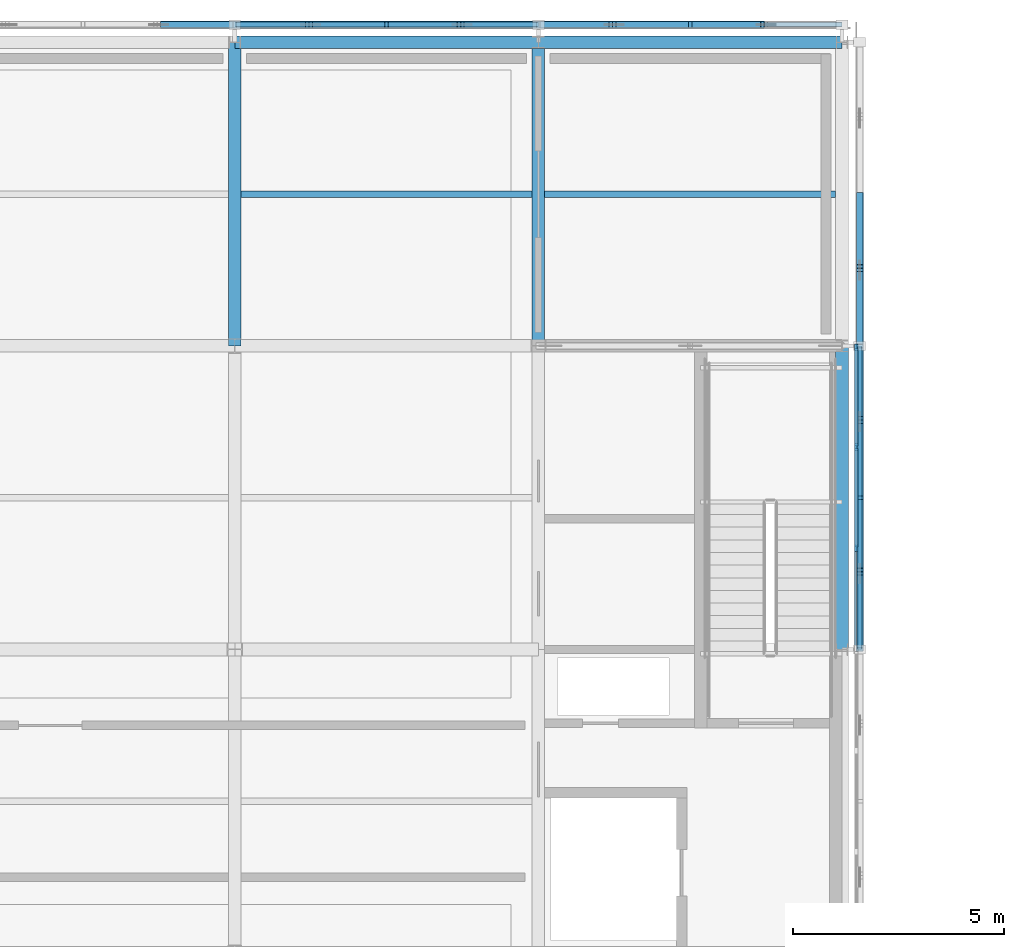
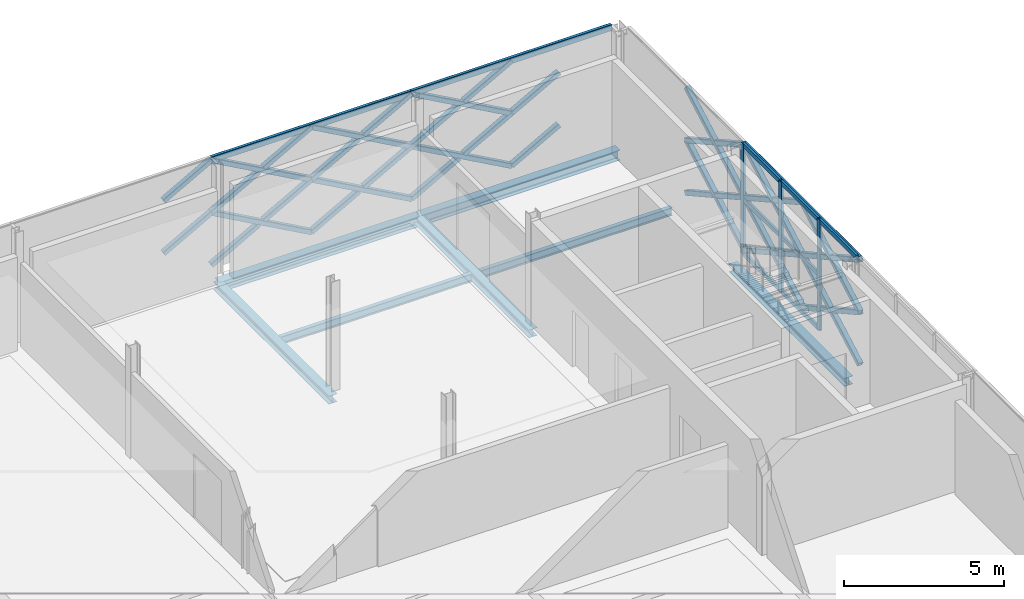
# One storey, part 57 of 103: 53 members, 7 beams, 1 element without a shape of its own.
"""IFC4 building model written with IfcOpenShell, lengths in metres."""

from ifc_helpers import new_model, si_unit, direction, frame, origin, origin_2d, place, context, subcontext, project, spatial, rectangle, hollow_rectangle, i_section, extrude, material, material_profile, profile_set, type_object, element, aggregate, save


model = new_model("IFC4")

# Units and contexts
model_context = context("Model", 3, precision=1e-05, world=origin(), true_north=direction((0.0, 1.0)))
body_context = subcontext(model_context, "Body", "Model", "MODEL_VIEW")
ifc_project = project(units=[si_unit("LENGTHUNIT", "METRE"), si_unit("AREAUNIT", "SQUARE_METRE"), si_unit("VOLUMEUNIT", "CUBIC_METRE"), si_unit("PLANEANGLEUNIT", "RADIAN"), si_unit("MASSUNIT", "GRAM", prefix="KILO")], contexts=[model_context])

# Site, building, storey
site_placement = place(None, origin())
site = spatial("IfcSite", under=ifc_project, at=site_placement, CompositionType="ELEMENT")
building_placement = place(site_placement, origin())
building = spatial("IfcBuilding", under=site, at=building_placement, Name="Zlatovets Crest Museum", CompositionType="ELEMENT")
storey_placement = place(building_placement, frame((0.0, 0.0, 12.89990234375)))
storey = spatial("IfcBuildingStorey", under=building, at=storey_placement, Name="L03", CompositionType="ELEMENT", Elevation=12.89990234375)

# Beams
ifc_material_1 = material(Name="Structural steel S355J2", Category="steel")
ifc_material_profile_1 = material_profile(ifc_material_1, i_section(OverallWidth=0.300048828125, OverallDepth=0.389892578125, WebThickness=0.010986328125, FlangeThickness=0.01904296875, FilletRadius=0.027099609375, at=origin_2d()), Name="HEA 400")
ifc_profile_set_1 = profile_set([ifc_material_profile_1], Name="Structural steel S355J2")
beam_type_1 = type_object("IfcBeamType", Name="Beam_B-02", PredefinedType="BEAM", material=ifc_profile_set_1)
for number, where, z_axis, x_axis, name in (
    (1, (93.60009765625, 115.199951171875, -0.434814453125), (1.0, 0.0, 0.0), (0.0, 1.0, 0.0), "V1 L03 Primary Girder B-02"),
    (2, (100.800048828125, 115.199951171875, -0.434814453125), (1.0, 0.0, 0.0), (0.0, 1.0, 0.0), "V1 L03 Primary Girder B-02"),
):
    element("IfcBeam", number, at=place(storey_placement, frame(where, z_axis=z_axis, x_axis=x_axis)), inside=storey, type_object=beam_type_1, Name=name, PredefinedType="BEAM", context=body_context, shape_type="SweptSolid", body=[
        extrude(i_section(OverallWidth=0.300048828125, OverallDepth=0.389892578125, WebThickness=0.010986328125, FlangeThickness=0.01904296875, FilletRadius=0.027099609375, at=origin_2d()), origin(), (0.0, 0.0, 1.0), 7.199951171875),
    ])
ifc_material_profile_2 = material_profile(ifc_material_1, i_section(OverallWidth=0.300048828125, OverallDepth=0.31005859375, WebThickness=0.009033203125, FlangeThickness=0.015380859375, FilletRadius=0.027099609375, at=origin_2d()), Name="HEA 320")
ifc_profile_set_2 = profile_set([ifc_material_profile_2], Name="Structural steel S355J2")
beam_type_2 = type_object("IfcBeamType", Name="Beam_B-04", PredefinedType="BEAM", material=ifc_profile_set_2)
for number, where, z_axis, x_axis, name in (
    (3, (93.60009765625, 108.0, -0.39501953125), (0.0, 1.0, 0.0), (-1.0, 0.0, 0.0), "V1 L03 Grid Beam B-04"),
    (4, (100.800048828125, 108.0, -0.39501953125), (0.0, 1.0, 0.0), (-1.0, 0.0, 0.0), "V1 L03 Grid Beam B-04"),
    (5, (108.0, 100.800048828125, -0.39501953125), (0.0, 1.0, 0.0), (-1.0, 0.0, 0.0), "V1 L03 Grid Beam B-04"),
):
    element("IfcBeam", number, at=place(storey_placement, frame(where, z_axis=z_axis, x_axis=x_axis)), inside=storey, type_object=beam_type_2, Name=name, PredefinedType="BEAM", context=body_context, shape_type="SweptSolid", body=[
        extrude(i_section(OverallWidth=0.300048828125, OverallDepth=0.31005859375, WebThickness=0.009033203125, FlangeThickness=0.015380859375, FilletRadius=0.027099609375, at=origin_2d()), origin(), (0.0, 0.0, 1.0), 7.199951171875),
    ])
ifc_material_profile_3 = material_profile(ifc_material_1, i_section(OverallWidth=0.14990234375, OverallDepth=0.300048828125, WebThickness=0.007080078125, FlangeThickness=0.0107421875, FilletRadius=0.014892578125, at=origin_2d()), Name="IPE 300")
ifc_profile_set_3 = profile_set([ifc_material_profile_3], Name="Structural steel S355J2")
beam_type_3 = type_object("IfcBeamType", Name="Beam_J-02", PredefinedType="JOIST", material=ifc_profile_set_3)
beam_1_placement = place(storey_placement, frame((93.75, 111.60009765625, -0.389892578125), z_axis=(1.0, 0.0, 0.0), x_axis=(0.0, 1.0, 0.0)))
element("IfcBeam", 6, at=beam_1_placement, inside=storey, type_object=beam_type_3, Name="V1 L03 Composite Joist J-02", PredefinedType="JOIST", context=body_context, shape_type="SweptSolid", body=[
    extrude(i_section(OverallWidth=0.14990234375, OverallDepth=0.300048828125, WebThickness=0.007080078125, FlangeThickness=0.0107421875, FilletRadius=0.014892578125, at=origin_2d()), origin(), (0.0, 0.0, 1.0), 6.89990234375),
])
beam_2_placement = place(storey_placement, frame((100.949951171875, 111.60009765625, -0.389892578125), z_axis=(1.0, 0.0, 0.0), x_axis=(0.0, 1.0, 0.0)))
element("IfcBeam", 7, at=beam_2_placement, inside=storey, type_object=beam_type_3, Name="V1 L03 Composite Joist J-02", PredefinedType="JOIST", context=body_context, shape_type="SweptSolid", body=[
    extrude(i_section(OverallWidth=0.14990234375, OverallDepth=0.300048828125, WebThickness=0.007080078125, FlangeThickness=0.0107421875, FilletRadius=0.014892578125, at=origin_2d()), origin(), (0.0, 0.0, 1.0), 6.900146484375),
])

# Curtain wall, members
ifc_material_2 = material(Name="Bronze-anodised aluminium and low-E triple glass", Category="aluminium")
curtain_wall_type = type_object("IfcCurtainWallType", Name="CW_CW-V1-L03-M1", PredefinedType="NOTDEFINED", material=ifc_material_2)
curtain_wall_placement = place(storey_placement, origin())
curtain_wall = element("IfcCurtainWall", 8, at=curtain_wall_placement, inside=storey, type_object=curtain_wall_type, Name="V1 L03 Expressed Core Glazed Facade", PredefinedType="NOTDEFINED")
ifc_material_3 = material(Name="Bronze-anodised aluminium EN AW-6060", Category="aluminium")
ifc_material_profile_4 = material_profile(ifc_material_3, rectangle(XDim=0.080078125, YDim=0.159912109375, at=origin_2d()), Name="ALU 80x160")
ifc_profile_set_4 = profile_set([ifc_material_profile_4], Name="Bronze-anodised aluminium EN AW-6060")
member_type_1 = type_object("IfcMemberType", Name="CWMull_M1", PredefinedType="MULLION", material=ifc_profile_set_4)
member_1_placement = place(storey_placement, frame((108.340087890625, 103.199951171875, 0.0), z_axis=(0.0, 0.0, 1.0), x_axis=(-1.0, 0.0, 0.0)))
member_1 = element("IfcMember", 9, at=member_1_placement, type_object=member_type_1, Name="CW-V1-L03-M1 mullion 2", PredefinedType="MULLION", context=body_context, shape_type="SweptSolid", body=[
    extrude(rectangle(XDim=0.080078125, YDim=0.159912109375, at=origin_2d()), origin(), (0.0, 0.0, 1.0), 4.2001953125),
])
member_2_placement = place(storey_placement, frame((108.340087890625, 105.60009765625, 0.0), z_axis=(0.0, 0.0, 1.0), x_axis=(-1.0, 0.0, 0.0)))
member_2 = element("IfcMember", 10, at=member_2_placement, type_object=member_type_1, Name="CW-V1-L03-M1 mullion 3", PredefinedType="MULLION", context=body_context, shape_type="SweptSolid", body=[
    extrude(rectangle(XDim=0.080078125, YDim=0.159912109375, at=origin_2d()), origin(), (0.0, 0.0, 1.0), 4.2001953125),
])
member_3_placement = place(storey_placement, frame((108.340087890625, 107.969970703125, 0.0), z_axis=(0.0, 0.0, 1.0), x_axis=(-1.0, 0.0, 0.0)))
member_3 = element("IfcMember", 11, at=member_3_placement, type_object=member_type_1, Name="CW-V1-L03-M1 mullion 4", PredefinedType="MULLION", context=body_context, shape_type="SweptSolid", body=[
    extrude(rectangle(XDim=0.080078125, YDim=0.159912109375, at=origin_2d()), origin(), (0.0, 0.0, 1.0), 4.2001953125),
])
ifc_material_profile_5 = material_profile(ifc_material_3, rectangle(XDim=0.080078125, YDim=0.159912109375, at=origin_2d()), Name="ALU 80x160")
ifc_profile_set_5 = profile_set([ifc_material_profile_5], Name="Bronze-anodised aluminium EN AW-6060")
member_type_2 = type_object("IfcMemberType", Name="CWTrans_T1", PredefinedType="USERDEFINED", material=ifc_profile_set_5)
member_4_placement = place(storey_placement, frame((108.340087890625, 100.860107421875, 4.170166015625), z_axis=(0.0, 1.0, 0.0), x_axis=(-1.0, 0.0, 0.0)))
member_4 = element("IfcMember", 12, at=member_4_placement, type_object=member_type_2, Name="CW-V1-L03-M1 transom 1.3", ObjectType="TRANSOM", PredefinedType="USERDEFINED", context=body_context, shape_type="SweptSolid", body=[
    extrude(rectangle(XDim=0.080078125, YDim=0.159912109375, at=origin_2d()), origin(), (0.0, 0.0, 1.0), 2.309814453125),
])
member_5_placement = place(storey_placement, frame((108.340087890625, 103.22998046875, 0.030029296875), z_axis=(0.0, 1.0, 0.0), x_axis=(-1.0, 0.0, 0.0)))
member_5 = element("IfcMember", 13, at=member_5_placement, type_object=member_type_2, Name="CW-V1-L03-M1 transom 2.1", ObjectType="TRANSOM", PredefinedType="USERDEFINED", context=body_context, shape_type="SweptSolid", body=[
    extrude(rectangle(XDim=0.080078125, YDim=0.159912109375, at=origin_2d()), origin(), (0.0, 0.0, 1.0), 2.340087890625),
])
member_6_placement = place(storey_placement, frame((108.340087890625, 103.22998046875, 2.10009765625), z_axis=(0.0, 1.0, 0.0), x_axis=(-1.0, 0.0, 0.0)))
member_6 = element("IfcMember", 14, at=member_6_placement, type_object=member_type_2, Name="CW-V1-L03-M1 transom 2.2", ObjectType="TRANSOM", PredefinedType="USERDEFINED", context=body_context, shape_type="SweptSolid", body=[
    extrude(rectangle(XDim=0.080078125, YDim=0.159912109375, at=origin_2d()), origin(), (0.0, 0.0, 1.0), 2.340087890625),
])
member_7_placement = place(storey_placement, frame((108.340087890625, 103.22998046875, 4.170166015625), z_axis=(0.0, 1.0, 0.0), x_axis=(-1.0, 0.0, 0.0)))
member_7 = element("IfcMember", 15, at=member_7_placement, type_object=member_type_2, Name="CW-V1-L03-M1 transom 2.3", ObjectType="TRANSOM", PredefinedType="USERDEFINED", context=body_context, shape_type="SweptSolid", body=[
    extrude(rectangle(XDim=0.080078125, YDim=0.159912109375, at=origin_2d()), origin(), (0.0, 0.0, 1.0), 2.340087890625),
])
member_8_placement = place(storey_placement, frame((108.340087890625, 105.6298828125, 0.030029296875), z_axis=(0.0, 1.0, 0.0), x_axis=(-1.0, 0.0, 0.0)))
member_8 = element("IfcMember", 16, at=member_8_placement, type_object=member_type_2, Name="CW-V1-L03-M1 transom 3.1", ObjectType="TRANSOM", PredefinedType="USERDEFINED", context=body_context, shape_type="SweptSolid", body=[
    extrude(rectangle(XDim=0.080078125, YDim=0.159912109375, at=origin_2d()), origin(), (0.0, 0.0, 1.0), 2.31005859375),
])
member_9_placement = place(storey_placement, frame((108.340087890625, 105.6298828125, 2.10009765625), z_axis=(0.0, 1.0, 0.0), x_axis=(-1.0, 0.0, 0.0)))
member_9 = element("IfcMember", 17, at=member_9_placement, type_object=member_type_2, Name="CW-V1-L03-M1 transom 3.2", ObjectType="TRANSOM", PredefinedType="USERDEFINED", context=body_context, shape_type="SweptSolid", body=[
    extrude(rectangle(XDim=0.080078125, YDim=0.159912109375, at=origin_2d()), origin(), (0.0, 0.0, 1.0), 2.31005859375),
])
member_10_placement = place(storey_placement, frame((108.340087890625, 105.6298828125, 4.170166015625), z_axis=(0.0, 1.0, 0.0), x_axis=(-1.0, 0.0, 0.0)))
member_10 = element("IfcMember", 18, at=member_10_placement, type_object=member_type_2, Name="CW-V1-L03-M1 transom 3.3", ObjectType="TRANSOM", PredefinedType="USERDEFINED", context=body_context, shape_type="SweptSolid", body=[
    extrude(rectangle(XDim=0.080078125, YDim=0.159912109375, at=origin_2d()), origin(), (0.0, 0.0, 1.0), 2.31005859375),
])
aggregate(curtain_wall, [member_1, member_2, member_3, member_4, member_5, member_6, member_7, member_8, member_9, member_10])

# Members
ifc_material_4 = material(Name="Weathering bronze-steel S355J2W", Category="steel")
ifc_material_profile_6 = material_profile(ifc_material_4, hollow_rectangle(XDim=0.179931640625, YDim=0.179931640625, WallThickness=0.010009765625, InnerFilletRadius=0.010009765625, OuterFilletRadius=0.02001953125, at=origin_2d()), Name="SHS 180x180x10.0")
ifc_profile_set_6 = profile_set([ifc_material_profile_6], Name="Weathering bronze-steel S355J2W")
member_type_3 = type_object("IfcMemberType", Name="Lattice_XL-01", PredefinedType="BRACE", material=ifc_profile_set_6)
member_11_placement = place(storey_placement, frame((108.419921875, 100.800048828125, 0.10009765625), z_axis=(0.0, 0.874148886685, 0.485658031857), x_axis=(-1.0, 0.0, 0.0)))
element("IfcMember", 19, at=member_11_placement, inside=storey, type_object=member_type_3, Name="Continuous Bronze Lattice Diagonal", PredefinedType="BRACE", context=body_context, shape_type="SweptSolid", body=[
    extrude(hollow_rectangle(XDim=0.179931640625, YDim=0.179931640625, WallThickness=0.010009765625, InnerFilletRadius=0.010009765625, OuterFilletRadius=0.02001953125, at=origin_2d()), origin(), (0.0, 0.0, 1.0), 4.1181640625),
])
member_12_placement = place(storey_placement, frame((108.419921875, 100.800048828125, 2.10009765625), z_axis=(0.0, 0.874169001841, -0.485621824284), x_axis=(-1.0, 0.0, 0.0)))
element("IfcMember", 20, at=member_12_placement, inside=storey, type_object=member_type_3, Name="Split Crossing Bronze Lattice Diagonal Upper", PredefinedType="BRACE", context=body_context, shape_type="SweptSolid", body=[
    extrude(hollow_rectangle(XDim=0.179931640625, YDim=0.179931640625, WallThickness=0.010009765625, InnerFilletRadius=0.010009765625, OuterFilletRadius=0.02001953125, at=origin_2d()), origin(), (0.0, 0.0, 1.0), 1.964111328125),
])
member_13_placement = place(storey_placement, frame((108.419921875, 102.68310546875, 1.053955078125), z_axis=(0.0, 0.874139684676, -0.48567459443), x_axis=(-1.0, 0.0, 0.0)))
element("IfcMember", 21, at=member_13_placement, inside=storey, type_object=member_type_3, Name="Split Crossing Bronze Lattice Diagonal Lower", PredefinedType="BRACE", context=body_context, shape_type="SweptSolid", body=[
    extrude(hollow_rectangle(XDim=0.179931640625, YDim=0.179931640625, WallThickness=0.010009765625, InnerFilletRadius=0.010009765625, OuterFilletRadius=0.02001953125, at=origin_2d()), origin(), (0.0, 0.0, 1.0), 1.9638671875),
])
member_14_placement = place(storey_placement, frame((108.419921875, 104.39990234375, 0.10009765625), z_axis=(0.0, 0.874162868644, 0.485632864501), x_axis=(-1.0, 0.0, 0.0)))
element("IfcMember", 22, at=member_14_placement, inside=storey, type_object=member_type_3, Name="Continuous Bronze Lattice Diagonal", PredefinedType="BRACE", context=body_context, shape_type="SweptSolid", body=[
    extrude(hollow_rectangle(XDim=0.179931640625, YDim=0.179931640625, WallThickness=0.010009765625, InnerFilletRadius=0.010009765625, OuterFilletRadius=0.02001953125, at=origin_2d()), origin(), (0.0, 0.0, 1.0), 4.118408203125),
])
for number, where, z_axis, x_axis, name in (
    (23, (108.419921875, 104.39990234375, 2.10009765625), (0.0, 0.874169001841, -0.485621824284), (-1.0, 0.0, 0.0), "Split Crossing Bronze Lattice Diagonal Upper"),
    (24, (108.419921875, 106.282958984375, 1.053955078125), (0.0, 0.874169001841, -0.485621824284), (-1.0, 0.0, 0.0), "Split Crossing Bronze Lattice Diagonal Lower"),
):
    element("IfcMember", number, at=place(storey_placement, frame(where, z_axis=z_axis, x_axis=x_axis)), inside=storey, type_object=member_type_3, Name=name, PredefinedType="BRACE", context=body_context, shape_type="SweptSolid", body=[
        extrude(hollow_rectangle(XDim=0.179931640625, YDim=0.179931640625, WallThickness=0.010009765625, InnerFilletRadius=0.010009765625, OuterFilletRadius=0.02001953125, at=origin_2d()), origin(), (0.0, 0.0, 1.0), 1.964111328125),
    ])
member_15_placement = place(storey_placement, frame((108.419921875, 100.800048828125, 2.10009765625), z_axis=(0.0, 0.874148886685, 0.485658031857), x_axis=(-1.0, 0.0, 0.0)))
element("IfcMember", 25, at=member_15_placement, inside=storey, type_object=member_type_3, Name="Continuous Bronze Lattice Diagonal", PredefinedType="BRACE", context=body_context, shape_type="SweptSolid", body=[
    extrude(hollow_rectangle(XDim=0.179931640625, YDim=0.179931640625, WallThickness=0.010009765625, InnerFilletRadius=0.010009765625, OuterFilletRadius=0.02001953125, at=origin_2d()), origin(), (0.0, 0.0, 1.0), 4.1181640625),
])
member_16_placement = place(storey_placement, frame((108.419921875, 100.800048828125, 4.10009765625), z_axis=(0.0, 0.874169001841, -0.485621824284), x_axis=(-1.0, 0.0, 0.0)))
element("IfcMember", 26, at=member_16_placement, inside=storey, type_object=member_type_3, Name="Split Crossing Bronze Lattice Diagonal Upper", PredefinedType="BRACE", context=body_context, shape_type="SweptSolid", body=[
    extrude(hollow_rectangle(XDim=0.179931640625, YDim=0.179931640625, WallThickness=0.010009765625, InnerFilletRadius=0.010009765625, OuterFilletRadius=0.02001953125, at=origin_2d()), origin(), (0.0, 0.0, 1.0), 1.964111328125),
])
member_17_placement = place(storey_placement, frame((108.419921875, 102.68310546875, 3.053955078125), z_axis=(0.0, 0.874139684676, -0.48567459443), x_axis=(-1.0, 0.0, 0.0)))
element("IfcMember", 27, at=member_17_placement, inside=storey, type_object=member_type_3, Name="Split Crossing Bronze Lattice Diagonal Lower", PredefinedType="BRACE", context=body_context, shape_type="SweptSolid", body=[
    extrude(hollow_rectangle(XDim=0.179931640625, YDim=0.179931640625, WallThickness=0.010009765625, InnerFilletRadius=0.010009765625, OuterFilletRadius=0.02001953125, at=origin_2d()), origin(), (0.0, 0.0, 1.0), 1.9638671875),
])
member_18_placement = place(storey_placement, frame((108.419921875, 104.39990234375, 2.10009765625), z_axis=(0.0, 0.874162868644, 0.485632864501), x_axis=(-1.0, 0.0, 0.0)))
element("IfcMember", 28, at=member_18_placement, inside=storey, type_object=member_type_3, Name="Continuous Bronze Lattice Diagonal", PredefinedType="BRACE", context=body_context, shape_type="SweptSolid", body=[
    extrude(hollow_rectangle(XDim=0.179931640625, YDim=0.179931640625, WallThickness=0.010009765625, InnerFilletRadius=0.010009765625, OuterFilletRadius=0.02001953125, at=origin_2d()), origin(), (0.0, 0.0, 1.0), 4.118408203125),
])
for number, where, z_axis, x_axis, name in (
    (29, (108.419921875, 104.39990234375, 4.10009765625), (0.0, 0.874169001841, -0.485621824284), (-1.0, 0.0, 0.0), "Split Crossing Bronze Lattice Diagonal Upper"),
    (30, (108.419921875, 106.282958984375, 3.053955078125), (0.0, 0.874169001841, -0.485621824284), (-1.0, 0.0, 0.0), "Split Crossing Bronze Lattice Diagonal Lower"),
):
    element("IfcMember", number, at=place(storey_placement, frame(where, z_axis=z_axis, x_axis=x_axis)), inside=storey, type_object=member_type_3, Name=name, PredefinedType="BRACE", context=body_context, shape_type="SweptSolid", body=[
        extrude(hollow_rectangle(XDim=0.179931640625, YDim=0.179931640625, WallThickness=0.010009765625, InnerFilletRadius=0.010009765625, OuterFilletRadius=0.02001953125, at=origin_2d()), origin(), (0.0, 0.0, 1.0), 1.964111328125),
    ])
member_19_placement = place(storey_placement, frame((108.419921875, 108.0, 0.10009765625), z_axis=(0.0, 0.874162868644, 0.485632864501), x_axis=(-1.0, 0.0, 0.0)))
element("IfcMember", 31, at=member_19_placement, inside=storey, type_object=member_type_3, Name="Continuous Bronze Lattice Diagonal", PredefinedType="BRACE", context=body_context, shape_type="SweptSolid", body=[
    extrude(hollow_rectangle(XDim=0.179931640625, YDim=0.179931640625, WallThickness=0.010009765625, InnerFilletRadius=0.010009765625, OuterFilletRadius=0.02001953125, at=origin_2d()), origin(), (0.0, 0.0, 1.0), 4.118408203125),
])
for number, where, z_axis, x_axis, name in (
    (32, (108.419921875, 108.0, 2.10009765625), (0.0, 0.874169001841, -0.485621824284), (-1.0, 0.0, 0.0), "Split Crossing Bronze Lattice Diagonal Upper"),
    (33, (108.419921875, 109.883056640625, 1.053955078125), (0.0, 0.874169001841, -0.485621824284), (-1.0, 0.0, 0.0), "Split Crossing Bronze Lattice Diagonal Lower"),
):
    element("IfcMember", number, at=place(storey_placement, frame(where, z_axis=z_axis, x_axis=x_axis)), inside=storey, type_object=member_type_3, Name=name, PredefinedType="BRACE", context=body_context, shape_type="SweptSolid", body=[
        extrude(hollow_rectangle(XDim=0.179931640625, YDim=0.179931640625, WallThickness=0.010009765625, InnerFilletRadius=0.010009765625, OuterFilletRadius=0.02001953125, at=origin_2d()), origin(), (0.0, 0.0, 1.0), 1.964111328125),
    ])
member_20_placement = place(storey_placement, frame((108.419921875, 108.0, 2.10009765625), z_axis=(0.0, 0.874162868644, 0.485632864501), x_axis=(-1.0, 0.0, 0.0)))
element("IfcMember", 34, at=member_20_placement, inside=storey, type_object=member_type_3, Name="Continuous Bronze Lattice Diagonal", PredefinedType="BRACE", context=body_context, shape_type="SweptSolid", body=[
    extrude(hollow_rectangle(XDim=0.179931640625, YDim=0.179931640625, WallThickness=0.010009765625, InnerFilletRadius=0.010009765625, OuterFilletRadius=0.02001953125, at=origin_2d()), origin(), (0.0, 0.0, 1.0), 4.118408203125),
])
for number, where, z_axis, x_axis, name in (
    (35, (108.419921875, 108.0, 4.10009765625), (0.0, 0.874169001841, -0.485621824284), (-1.0, 0.0, 0.0), "Split Crossing Bronze Lattice Diagonal Upper"),
    (36, (108.419921875, 109.883056640625, 3.053955078125), (0.0, 0.874169001841, -0.485621824284), (-1.0, 0.0, 0.0), "Split Crossing Bronze Lattice Diagonal Lower"),
    (37, (106.116943359375, 115.6201171875, 1.053955078125), (-0.874169001841, 0.0, -0.485621824284), (0.0, -1.0, 0.0), "Split Crossing Bronze Lattice Diagonal Lower"),
):
    element("IfcMember", number, at=place(storey_placement, frame(where, z_axis=z_axis, x_axis=x_axis)), inside=storey, type_object=member_type_3, Name=name, PredefinedType="BRACE", context=body_context, shape_type="SweptSolid", body=[
        extrude(hollow_rectangle(XDim=0.179931640625, YDim=0.179931640625, WallThickness=0.010009765625, InnerFilletRadius=0.010009765625, OuterFilletRadius=0.02001953125, at=origin_2d()), origin(), (0.0, 0.0, 1.0), 1.964111328125),
    ])
member_21_placement = place(storey_placement, frame((104.39990234375, 115.6201171875, 0.10009765625), z_axis=(-0.874148886685, 0.0, 0.485658031857), x_axis=(0.0, -1.0, 0.0)))
element("IfcMember", 38, at=member_21_placement, inside=storey, type_object=member_type_3, Name="Continuous Bronze Lattice Diagonal", PredefinedType="BRACE", context=body_context, shape_type="SweptSolid", body=[
    extrude(hollow_rectangle(XDim=0.179931640625, YDim=0.179931640625, WallThickness=0.010009765625, InnerFilletRadius=0.010009765625, OuterFilletRadius=0.02001953125, at=origin_2d()), origin(), (0.0, 0.0, 1.0), 4.1181640625),
])
member_22_placement = place(storey_placement, frame((104.39990234375, 115.6201171875, 2.10009765625), z_axis=(-0.874139684676, 0.0, -0.48567459443), x_axis=(0.0, -1.0, 0.0)))
element("IfcMember", 39, at=member_22_placement, inside=storey, type_object=member_type_3, Name="Split Crossing Bronze Lattice Diagonal Upper", PredefinedType="BRACE", context=body_context, shape_type="SweptSolid", body=[
    extrude(hollow_rectangle(XDim=0.179931640625, YDim=0.179931640625, WallThickness=0.010009765625, InnerFilletRadius=0.010009765625, OuterFilletRadius=0.02001953125, at=origin_2d()), origin(), (0.0, 0.0, 1.0), 1.9638671875),
])
for number, where, z_axis, x_axis, name in (
    (40, (102.51708984375, 115.6201171875, 1.053955078125), (-0.874169001841, 0.0, -0.485621824284), (0.0, -1.0, 0.0), "Split Crossing Bronze Lattice Diagonal Lower"),
    (41, (106.116943359375, 115.6201171875, 3.053955078125), (-0.874169001841, 0.0, -0.485621824284), (0.0, -1.0, 0.0), "Split Crossing Bronze Lattice Diagonal Lower"),
):
    element("IfcMember", number, at=place(storey_placement, frame(where, z_axis=z_axis, x_axis=x_axis)), inside=storey, type_object=member_type_3, Name=name, PredefinedType="BRACE", context=body_context, shape_type="SweptSolid", body=[
        extrude(hollow_rectangle(XDim=0.179931640625, YDim=0.179931640625, WallThickness=0.010009765625, InnerFilletRadius=0.010009765625, OuterFilletRadius=0.02001953125, at=origin_2d()), origin(), (0.0, 0.0, 1.0), 1.964111328125),
    ])
member_23_placement = place(storey_placement, frame((104.39990234375, 115.6201171875, 2.10009765625), z_axis=(-0.874148886685, 0.0, 0.485658031857), x_axis=(0.0, -1.0, 0.0)))
element("IfcMember", 42, at=member_23_placement, inside=storey, type_object=member_type_3, Name="Continuous Bronze Lattice Diagonal", PredefinedType="BRACE", context=body_context, shape_type="SweptSolid", body=[
    extrude(hollow_rectangle(XDim=0.179931640625, YDim=0.179931640625, WallThickness=0.010009765625, InnerFilletRadius=0.010009765625, OuterFilletRadius=0.02001953125, at=origin_2d()), origin(), (0.0, 0.0, 1.0), 4.1181640625),
])
member_24_placement = place(storey_placement, frame((104.39990234375, 115.6201171875, 4.10009765625), z_axis=(-0.874139684676, 0.0, -0.48567459443), x_axis=(0.0, -1.0, 0.0)))
element("IfcMember", 43, at=member_24_placement, inside=storey, type_object=member_type_3, Name="Split Crossing Bronze Lattice Diagonal Upper", PredefinedType="BRACE", context=body_context, shape_type="SweptSolid", body=[
    extrude(hollow_rectangle(XDim=0.179931640625, YDim=0.179931640625, WallThickness=0.010009765625, InnerFilletRadius=0.010009765625, OuterFilletRadius=0.02001953125, at=origin_2d()), origin(), (0.0, 0.0, 1.0), 1.9638671875),
])
member_25_placement = place(storey_placement, frame((102.51708984375, 115.6201171875, 3.053955078125), z_axis=(-0.874169001841, 0.0, -0.485621824284), x_axis=(0.0, -1.0, 0.0)))
element("IfcMember", 44, at=member_25_placement, inside=storey, type_object=member_type_3, Name="Split Crossing Bronze Lattice Diagonal Lower", PredefinedType="BRACE", context=body_context, shape_type="SweptSolid", body=[
    extrude(hollow_rectangle(XDim=0.179931640625, YDim=0.179931640625, WallThickness=0.010009765625, InnerFilletRadius=0.010009765625, OuterFilletRadius=0.02001953125, at=origin_2d()), origin(), (0.0, 0.0, 1.0), 1.964111328125),
])
member_26_placement = place(storey_placement, frame((100.800048828125, 115.6201171875, 0.10009765625), z_axis=(-0.874162868644, 0.0, 0.485632864501), x_axis=(0.0, -1.0, 0.0)))
element("IfcMember", 45, at=member_26_placement, inside=storey, type_object=member_type_3, Name="Continuous Bronze Lattice Diagonal", PredefinedType="BRACE", context=body_context, shape_type="SweptSolid", body=[
    extrude(hollow_rectangle(XDim=0.179931640625, YDim=0.179931640625, WallThickness=0.010009765625, InnerFilletRadius=0.010009765625, OuterFilletRadius=0.02001953125, at=origin_2d()), origin(), (0.0, 0.0, 1.0), 4.118408203125),
])
for number, where, z_axis, x_axis, name in (
    (46, (100.800048828125, 115.6201171875, 2.10009765625), (-0.874169001841, 0.0, -0.485621824284), (0.0, -1.0, 0.0), "Split Crossing Bronze Lattice Diagonal Upper"),
    (47, (98.9169921875, 115.6201171875, 1.053955078125), (-0.874169001841, 0.0, -0.485621824284), (0.0, -1.0, 0.0), "Split Crossing Bronze Lattice Diagonal Lower"),
):
    element("IfcMember", number, at=place(storey_placement, frame(where, z_axis=z_axis, x_axis=x_axis)), inside=storey, type_object=member_type_3, Name=name, PredefinedType="BRACE", context=body_context, shape_type="SweptSolid", body=[
        extrude(hollow_rectangle(XDim=0.179931640625, YDim=0.179931640625, WallThickness=0.010009765625, InnerFilletRadius=0.010009765625, OuterFilletRadius=0.02001953125, at=origin_2d()), origin(), (0.0, 0.0, 1.0), 1.964111328125),
    ])
member_27_placement = place(storey_placement, frame((97.199951171875, 115.6201171875, 0.10009765625), z_axis=(-0.874148886685, 0.0, 0.485658031857), x_axis=(0.0, -1.0, 0.0)))
element("IfcMember", 48, at=member_27_placement, inside=storey, type_object=member_type_3, Name="Continuous Bronze Lattice Diagonal", PredefinedType="BRACE", context=body_context, shape_type="SweptSolid", body=[
    extrude(hollow_rectangle(XDim=0.179931640625, YDim=0.179931640625, WallThickness=0.010009765625, InnerFilletRadius=0.010009765625, OuterFilletRadius=0.02001953125, at=origin_2d()), origin(), (0.0, 0.0, 1.0), 4.1181640625),
])
member_28_placement = place(storey_placement, frame((97.199951171875, 115.6201171875, 2.10009765625), z_axis=(-0.874169001841, 0.0, -0.485621824284), x_axis=(0.0, -1.0, 0.0)))
element("IfcMember", 49, at=member_28_placement, inside=storey, type_object=member_type_3, Name="Split Crossing Bronze Lattice Diagonal Upper", PredefinedType="BRACE", context=body_context, shape_type="SweptSolid", body=[
    extrude(hollow_rectangle(XDim=0.179931640625, YDim=0.179931640625, WallThickness=0.010009765625, InnerFilletRadius=0.010009765625, OuterFilletRadius=0.02001953125, at=origin_2d()), origin(), (0.0, 0.0, 1.0), 1.964111328125),
])
member_29_placement = place(storey_placement, frame((95.31689453125, 115.6201171875, 1.053955078125), z_axis=(-0.874139684676, 0.0, -0.48567459443), x_axis=(0.0, -1.0, 0.0)))
element("IfcMember", 50, at=member_29_placement, inside=storey, type_object=member_type_3, Name="Split Crossing Bronze Lattice Diagonal Lower", PredefinedType="BRACE", context=body_context, shape_type="SweptSolid", body=[
    extrude(hollow_rectangle(XDim=0.179931640625, YDim=0.179931640625, WallThickness=0.010009765625, InnerFilletRadius=0.010009765625, OuterFilletRadius=0.02001953125, at=origin_2d()), origin(), (0.0, 0.0, 1.0), 1.9638671875),
])
member_30_placement = place(storey_placement, frame((100.800048828125, 115.6201171875, 2.10009765625), z_axis=(-0.874162868644, 0.0, 0.485632864501), x_axis=(0.0, -1.0, 0.0)))
element("IfcMember", 51, at=member_30_placement, inside=storey, type_object=member_type_3, Name="Continuous Bronze Lattice Diagonal", PredefinedType="BRACE", context=body_context, shape_type="SweptSolid", body=[
    extrude(hollow_rectangle(XDim=0.179931640625, YDim=0.179931640625, WallThickness=0.010009765625, InnerFilletRadius=0.010009765625, OuterFilletRadius=0.02001953125, at=origin_2d()), origin(), (0.0, 0.0, 1.0), 4.118408203125),
])
for number, where, z_axis, x_axis, name in (
    (52, (100.800048828125, 115.6201171875, 4.10009765625), (-0.874169001841, 0.0, -0.485621824284), (0.0, -1.0, 0.0), "Split Crossing Bronze Lattice Diagonal Upper"),
    (53, (98.9169921875, 115.6201171875, 3.053955078125), (-0.874169001841, 0.0, -0.485621824284), (0.0, -1.0, 0.0), "Split Crossing Bronze Lattice Diagonal Lower"),
):
    element("IfcMember", number, at=place(storey_placement, frame(where, z_axis=z_axis, x_axis=x_axis)), inside=storey, type_object=member_type_3, Name=name, PredefinedType="BRACE", context=body_context, shape_type="SweptSolid", body=[
        extrude(hollow_rectangle(XDim=0.179931640625, YDim=0.179931640625, WallThickness=0.010009765625, InnerFilletRadius=0.010009765625, OuterFilletRadius=0.02001953125, at=origin_2d()), origin(), (0.0, 0.0, 1.0), 1.964111328125),
    ])
member_31_placement = place(storey_placement, frame((97.199951171875, 115.6201171875, 2.10009765625), z_axis=(-0.874148886685, 0.0, 0.485658031857), x_axis=(0.0, -1.0, 0.0)))
element("IfcMember", 54, at=member_31_placement, inside=storey, type_object=member_type_3, Name="Continuous Bronze Lattice Diagonal", PredefinedType="BRACE", context=body_context, shape_type="SweptSolid", body=[
    extrude(hollow_rectangle(XDim=0.179931640625, YDim=0.179931640625, WallThickness=0.010009765625, InnerFilletRadius=0.010009765625, OuterFilletRadius=0.02001953125, at=origin_2d()), origin(), (0.0, 0.0, 1.0), 4.1181640625),
])
member_32_placement = place(storey_placement, frame((97.199951171875, 115.6201171875, 4.10009765625), z_axis=(-0.874169001841, 0.0, -0.485621824284), x_axis=(0.0, -1.0, 0.0)))
element("IfcMember", 55, at=member_32_placement, inside=storey, type_object=member_type_3, Name="Split Crossing Bronze Lattice Diagonal Upper", PredefinedType="BRACE", context=body_context, shape_type="SweptSolid", body=[
    extrude(hollow_rectangle(XDim=0.179931640625, YDim=0.179931640625, WallThickness=0.010009765625, InnerFilletRadius=0.010009765625, OuterFilletRadius=0.02001953125, at=origin_2d()), origin(), (0.0, 0.0, 1.0), 1.964111328125),
])
member_33_placement = place(storey_placement, frame((95.31689453125, 115.6201171875, 3.053955078125), z_axis=(-0.874139684676, 0.0, -0.48567459443), x_axis=(0.0, -1.0, 0.0)))
element("IfcMember", 56, at=member_33_placement, inside=storey, type_object=member_type_3, Name="Split Crossing Bronze Lattice Diagonal Lower", PredefinedType="BRACE", context=body_context, shape_type="SweptSolid", body=[
    extrude(hollow_rectangle(XDim=0.179931640625, YDim=0.179931640625, WallThickness=0.010009765625, InnerFilletRadius=0.010009765625, OuterFilletRadius=0.02001953125, at=origin_2d()), origin(), (0.0, 0.0, 1.0), 1.9638671875),
])
for number, where, z_axis, x_axis, name in (
    (57, (93.60009765625, 115.6201171875, 2.10009765625), (-0.874169001841, 0.0, -0.485621824284), (0.0, -1.0, 0.0), "Split Crossing Bronze Lattice Diagonal Upper"),
    (58, (93.60009765625, 115.6201171875, 4.10009765625), (-0.874169001841, 0.0, -0.485621824284), (0.0, -1.0, 0.0), "Split Crossing Bronze Lattice Diagonal Upper"),
):
    element("IfcMember", number, at=place(storey_placement, frame(where, z_axis=z_axis, x_axis=x_axis)), inside=storey, type_object=member_type_3, Name=name, PredefinedType="BRACE", context=body_context, shape_type="SweptSolid", body=[
        extrude(hollow_rectangle(XDim=0.179931640625, YDim=0.179931640625, WallThickness=0.010009765625, InnerFilletRadius=0.010009765625, OuterFilletRadius=0.02001953125, at=origin_2d()), origin(), (0.0, 0.0, 1.0), 1.964111328125),
    ])
ifc_material_profile_7 = material_profile(ifc_material_4, hollow_rectangle(XDim=0.1201171875, YDim=0.239990234375, WallThickness=0.010009765625, InnerFilletRadius=0.010009765625, OuterFilletRadius=0.02001953125, at=origin_2d()), Name="RHS 120x240x10.0")
ifc_profile_set_7 = profile_set([ifc_material_profile_7], Name="Weathering bronze-steel S355J2W")
member_type_4 = type_object("IfcMemberType", Name="Lattice_XL-04", PredefinedType="CHORD", material=ifc_profile_set_7)
for number, where, z_axis, x_axis, name in (
    (59, (108.419921875, 100.800048828125, 4.10009765625), (0.0, 1.0, 0.0), (-1.0, 0.0, 0.0), "Art Nouveau Woven Cage Collector Ring Chord"),
    (60, (108.0, 115.6201171875, 4.10009765625), (-1.0, 0.0, 0.0), (0.0, -1.0, 0.0), "Art Nouveau Woven Cage Collector Ring Chord"),
    (61, (100.800048828125, 115.6201171875, 4.10009765625), (-1.0, 0.0, 0.0), (0.0, -1.0, 0.0), "Art Nouveau Woven Cage Collector Ring Chord"),
):
    element("IfcMember", number, at=place(storey_placement, frame(where, z_axis=z_axis, x_axis=x_axis)), inside=storey, type_object=member_type_4, Name=name, PredefinedType="CHORD", context=body_context, shape_type="SweptSolid", body=[
        extrude(hollow_rectangle(XDim=0.1201171875, YDim=0.239990234375, WallThickness=0.010009765625, InnerFilletRadius=0.010009765625, OuterFilletRadius=0.02001953125, at=origin_2d()), origin(), (0.0, 0.0, 1.0), 7.199951171875),
    ])

save(model, "model.ifc")
